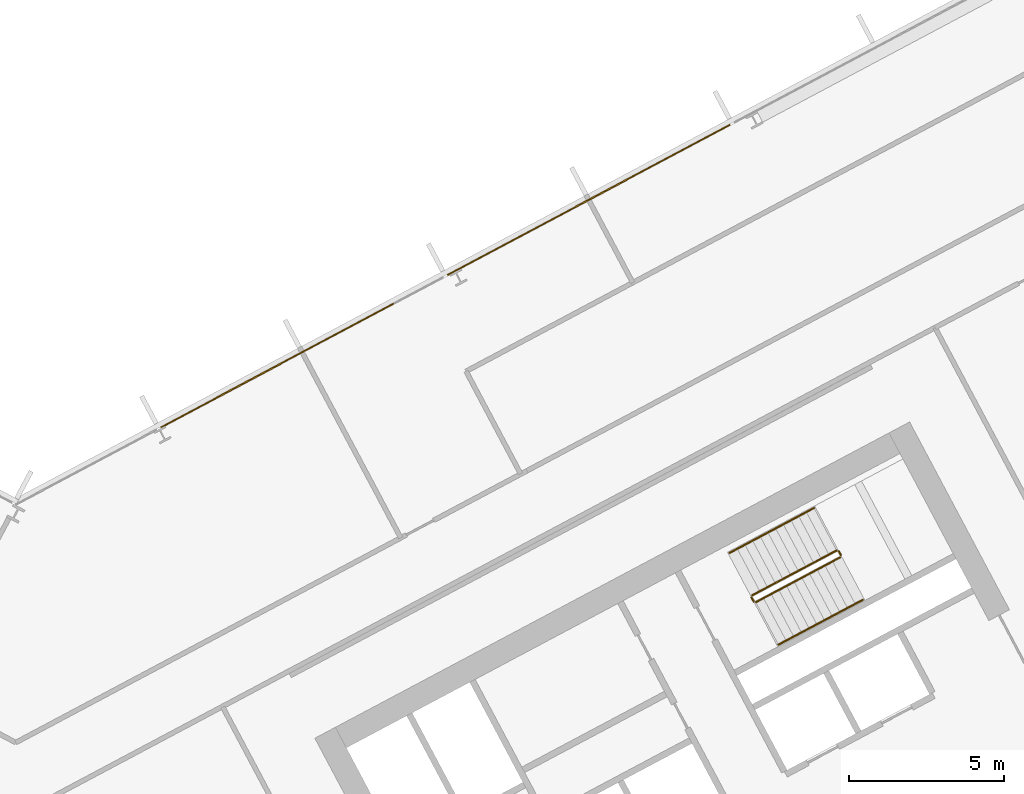
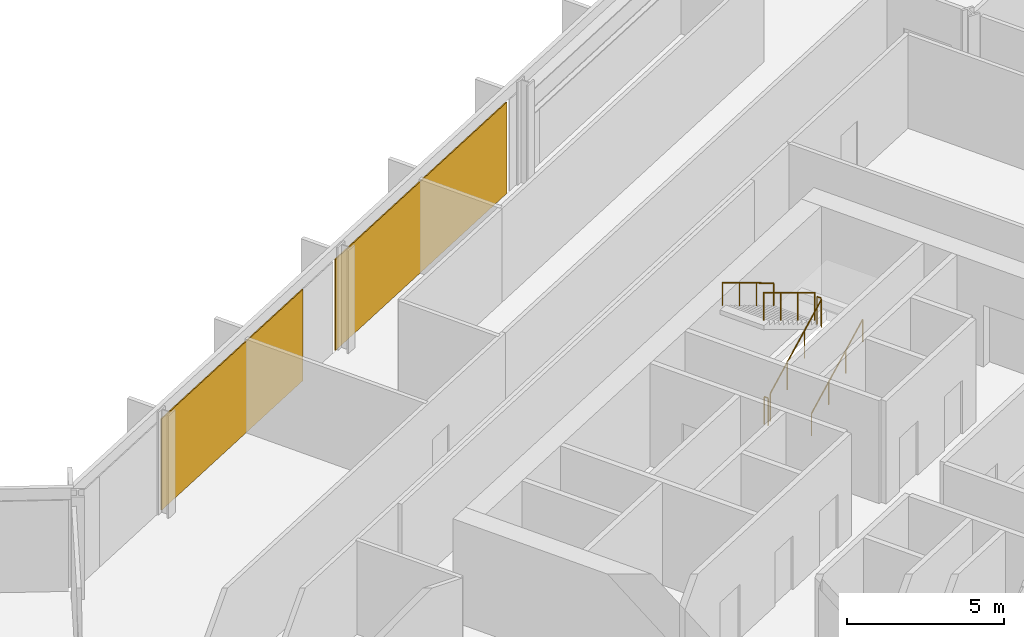
# One storey, part 27 of 28: 6 railings, 2 coverings, 1 element without a shape of its own.
"""IFC4 building model written with IfcOpenShell, lengths in metres."""

from ifc_helpers import new_model, si_unit, direction, frame, origin, origin_2d, place, context, subcontext, project, spatial, polyline, rectangle, outline, extrude, material, layer, layer_set, type_object, element, aggregate, save


model = new_model("IFC4")

# Units and contexts
model_context = context("Model", 3, precision=1e-05, world=origin(), true_north=direction((0.0, 1.0)))
body_context = subcontext(model_context, "Body", "Model", "MODEL_VIEW")
ifc_project = project(units=[si_unit("LENGTHUNIT", "METRE"), si_unit("AREAUNIT", "SQUARE_METRE"), si_unit("VOLUMEUNIT", "CUBIC_METRE"), si_unit("PLANEANGLEUNIT", "RADIAN"), si_unit("MASSUNIT", "GRAM", prefix="KILO")], contexts=[model_context])

# Site, building, storey
site_placement = place(None, origin())
site = spatial("IfcSite", under=ifc_project, at=site_placement, CompositionType="ELEMENT")
building_placement = place(site_placement, origin())
building = spatial("IfcBuilding", under=site, at=building_placement, Name="Cormorant Relay Tower", CompositionType="ELEMENT")
storey_placement = place(building_placement, frame((0.0, 0.0, 130.199951171875)))
storey = spatial("IfcBuildingStorey", under=building, at=storey_placement, Name="L26", CompositionType="ELEMENT", Elevation=130.199951171875)

# Curtain wall, coverings
ifc_material_1 = material(Name="Aluminium 6063-T6 anodised bronze", Category="aluminium")
ifc_layer_1 = layer(ifc_material_1, 0.199951171875)
ifc_layer_set_1 = layer_set([ifc_layer_1], Name="CW1 unitised bronze curtain wall with vertical fins")
curtain_wall_type = type_object("IfcCurtainWallType", Name="CW1 unitised bronze curtain wall with vertical fins", PredefinedType="NOTDEFINED", material=ifc_layer_set_1)
curtain_wall_placement = place(storey_placement, origin())
curtain_wall = element("IfcCurtainWall", 1, at=curtain_wall_placement, inside=storey, type_object=curtain_wall_type, Name="CW1 curtain wall 8", PredefinedType="NOTDEFINED")
ifc_material_2 = material(Name="Pale bronze anodised aluminium insulated panel", Category="aluminium")
ifc_layer_2 = layer(ifc_material_2, 0.0400390625)
ifc_layer_set_2 = layer_set([ifc_layer_2], Name="CW1 pale bronze insulated panel 40")
covering_type = type_object("IfcCoveringType", Name="CW1 pale bronze insulated panel 40", PredefinedType="CLADDING", material=ifc_layer_set_2)
covering_1_placement = place(storey_placement, frame((18.459228515625, 33.62158203125, 0.0), z_axis=(0.0, 0.0, 1.0), x_axis=(-0.882947592859, -0.469471562786, 0.0)))
covering_1 = element("IfcCovering", 2, at=covering_1_placement, type_object=covering_type, Name="CW1 panel S04", PredefinedType="CLADDING", context=body_context, shape_type="SweptSolid", body=[
    extrude(rectangle(XDim=10.30859375, YDim=0.0400390625, at=origin_2d()), origin(), (0.0, 0.0, 1.0), 3.550048828125),
])
covering_2_placement = place(storey_placement, frame((8.430419921875, 28.2890625, 0.0), z_axis=(0.0, 0.0, 1.0), x_axis=(-0.882947592859, -0.469471562786, 0.0)))
covering_2 = element("IfcCovering", 3, at=covering_2_placement, type_object=covering_type, Name="CW1 panel S06", PredefinedType="CLADDING", context=body_context, shape_type="SweptSolid", body=[
    extrude(rectangle(XDim=8.508544921875, YDim=0.0400390625, at=origin_2d()), origin(), (0.0, 0.0, 1.0), 3.550048828125),
])
aggregate(curtain_wall, [covering_1, covering_2])

# Railings
ifc_material_3 = material(Name="Steel ASTM A572 Grade 50 (Fy 345 MPa)", Category="steel")
railing_type_1 = type_object("IfcRailingType", Name="Stair guard 1100", PredefinedType="GUARDRAIL", material=ifc_material_3)
railing_1_placement = place(storey_placement, frame((23.8408203125, 20.6611328125, 0.166748046875)))
element("IfcRailing", 4, at=railing_1_placement, inside=storey, type_object=railing_type_1, Name="L26 B2 stair guard 1", PredefinedType="GUARDRAIL", context=body_context, shape_type="SweptSolid", body=[
    extrude(outline(polyline([(0.022216796875, 0.00927734375), (0.00927734375, 0.022216796875), (-0.00927734375, 0.022216796875), (-0.022216796875, 0.00927734375), (-0.022216796875, -0.00927734375), (-0.00927734375, -0.022216796875), (0.00927734375, -0.022216796875), (0.022216796875, -0.00927734375), (0.022216796875, 0.00927734375)])), frame((0.0, 0.0, 1.076171875), z_axis=(0.758734504837, 0.403377838015, 0.511476559549), x_axis=(-0.469427602063, 0.882970965786, 0.0)), (0.0, 0.0, 1.0), 3.584228515625),
    extrude(outline(polyline([(0.019287109375, 0.008056640625), (0.008056640625, 0.019287109375), (-0.008056640625, 0.019287109375), (-0.019287109375, 0.008056640625), (-0.019287109375, -0.008056640625), (-0.008056640625, -0.019287109375), (0.008056640625, -0.019287109375), (0.019287109375, -0.008056640625), (0.019287109375, 0.008056640625)])), origin(), (0.0, 0.0, 1.0), 1.052001953125),
    extrude(outline(polyline([(0.019287109375, 0.008056640625), (0.008056640625, 0.019287109375), (-0.008056640625, 0.019287109375), (-0.019287109375, 0.008056640625), (-0.019287109375, -0.008056640625), (-0.008056640625, -0.019287109375), (0.008056640625, -0.019287109375), (0.019287109375, -0.008056640625), (0.019287109375, 0.008056640625)])), frame((0.906494140625, 0.48193359375, 0.611083984375)), (0.0, 0.0, 1.0), 1.052001953125),
    extrude(outline(polyline([(0.019287109375, 0.008056640625), (0.008056640625, 0.019287109375), (-0.008056640625, 0.019287109375), (-0.019287109375, 0.008056640625), (-0.019287109375, -0.008056640625), (-0.008056640625, -0.019287109375), (0.008056640625, -0.019287109375), (0.019287109375, -0.008056640625), (0.019287109375, 0.008056640625)])), frame((1.81298828125, 0.9638671875, 1.22216796875)), (0.0, 0.0, 1.0), 1.052001953125),
    extrude(outline(polyline([(0.019287109375, 0.008056640625), (0.008056640625, 0.019287109375), (-0.008056640625, 0.019287109375), (-0.019287109375, 0.008056640625), (-0.019287109375, -0.008056640625), (-0.008056640625, -0.019287109375), (0.008056640625, -0.019287109375), (0.019287109375, -0.008056640625), (0.019287109375, 0.008056640625)])), frame((2.719482421875, 1.44580078125, 1.833251953125)), (0.0, 0.0, 1.0), 1.052001953125),
])
railing_2_placement = place(storey_placement, frame((26.5810546875, 22.174560546875, 2.0)))
element("IfcRailing", 5, at=railing_2_placement, inside=storey, type_object=railing_type_1, Name="L26 B2 stair guard 2", PredefinedType="GUARDRAIL", context=body_context, shape_type="SweptSolid", body=[
    extrude(outline(polyline([(0.022216796875, 0.00927734375), (0.00927734375, 0.022216796875), (-0.00927734375, 0.022216796875), (-0.022216796875, 0.00927734375), (-0.022216796875, -0.00927734375), (-0.00927734375, -0.022216796875), (0.00927734375, -0.022216796875), (0.022216796875, -0.00927734375), (0.022216796875, 0.00927734375)])), frame((0.0, 0.0, 1.076171875), z_axis=(-0.469828648786, 0.882757634224, 0.0), x_axis=(-0.882757634224, -0.469828648786, 0.0)), (0.0, 0.0, 1.0), 0.150146484375),
    extrude(outline(polyline([(0.019287109375, 0.008056640625), (0.008056640625, 0.019287109375), (-0.008056640625, 0.019287109375), (-0.019287109375, 0.008056640625), (-0.019287109375, -0.008056640625), (-0.008056640625, -0.019287109375), (0.008056640625, -0.019287109375), (0.019287109375, -0.008056640625), (0.019287109375, 0.008056640625)])), origin(), (0.0, 0.0, 1.0), 1.052001953125),
    extrude(outline(polyline([(0.019287109375, 0.008056640625), (0.008056640625, 0.019287109375), (-0.008056640625, 0.019287109375), (-0.019287109375, 0.008056640625), (-0.019287109375, -0.008056640625), (-0.008056640625, -0.019287109375), (0.008056640625, -0.019287109375), (0.019287109375, -0.008056640625), (0.019287109375, 0.008056640625)])), frame((-0.070556640625, 0.132568359375, 0.0)), (0.0, 0.0, 1.0), 1.052001953125),
])
railing_3_placement = place(storey_placement, frame((26.44287109375, 22.32763671875, 2.166748046875)))
element("IfcRailing", 6, at=railing_3_placement, inside=storey, type_object=railing_type_1, Name="L26 B2 stair guard 3", PredefinedType="GUARDRAIL", context=body_context, shape_type="SweptSolid", body=[
    extrude(outline(polyline([(0.022216796875, 0.00927734375), (0.00927734375, 0.022216796875), (-0.00927734375, 0.022216796875), (-0.022216796875, 0.00927734375), (-0.022216796875, -0.00927734375), (-0.00927734375, -0.022216796875), (0.00927734375, -0.022216796875), (0.022216796875, -0.00927734375), (0.022216796875, 0.00927734375)])), frame((0.0, 0.0, 1.076171875), z_axis=(-0.758734504837, -0.403377838015, 0.511476559549), x_axis=(0.469427602063, -0.882970965786, 0.0)), (0.0, 0.0, 1.0), 3.584228515625),
    extrude(outline(polyline([(0.019287109375, 0.008056640625), (0.008056640625, 0.019287109375), (-0.008056640625, 0.019287109375), (-0.019287109375, 0.008056640625), (-0.019287109375, -0.008056640625), (-0.008056640625, -0.019287109375), (0.008056640625, -0.019287109375), (0.019287109375, -0.008056640625), (0.019287109375, 0.008056640625)])), origin(), (0.0, 0.0, 1.0), 1.052001953125),
    extrude(outline(polyline([(0.019287109375, 0.008056640625), (0.008056640625, 0.019287109375), (-0.008056640625, 0.019287109375), (-0.019287109375, 0.008056640625), (-0.019287109375, -0.008056640625), (-0.008056640625, -0.019287109375), (0.008056640625, -0.019287109375), (0.019287109375, -0.008056640625), (0.019287109375, 0.008056640625)])), frame((-0.906494140625, -0.48193359375, 0.611083984375)), (0.0, 0.0, 1.0), 1.052001953125),
    extrude(outline(polyline([(0.019287109375, 0.008056640625), (0.008056640625, 0.019287109375), (-0.008056640625, 0.019287109375), (-0.019287109375, 0.008056640625), (-0.019287109375, -0.008056640625), (-0.008056640625, -0.019287109375), (0.008056640625, -0.019287109375), (0.019287109375, -0.008056640625), (0.019287109375, 0.008056640625)])), frame((-1.81298828125, -0.9638671875, 1.22216796875)), (0.0, 0.0, 1.0), 1.052001953125),
    extrude(outline(polyline([(0.019287109375, 0.008056640625), (0.008056640625, 0.019287109375), (-0.008056640625, 0.019287109375), (-0.019287109375, 0.008056640625), (-0.019287109375, -0.008056640625), (-0.008056640625, -0.019287109375), (0.008056640625, -0.019287109375), (0.019287109375, -0.008056640625), (0.019287109375, 0.008056640625)])), frame((-2.719482421875, -1.44580078125, 1.833251953125)), (0.0, 0.0, 1.0), 1.052001953125),
])
railing_4_placement = place(storey_placement, frame((23.773193359375, 20.681640625, 0.0)))
element("IfcRailing", 7, at=railing_4_placement, inside=storey, type_object=railing_type_1, Name="L26 B2 stair guard 4", PredefinedType="GUARDRAIL", context=body_context, shape_type="SweptSolid", body=[
    extrude(outline(polyline([(0.022216796875, 0.00927734375), (0.00927734375, 0.022216796875), (-0.00927734375, 0.022216796875), (-0.022216796875, 0.00927734375), (-0.022216796875, -0.00927734375), (-0.00927734375, -0.022216796875), (0.00927734375, -0.022216796875), (0.022216796875, -0.00927734375), (0.022216796875, 0.00927734375)])), frame((0.0, 0.0, 1.076171875), z_axis=(-0.46856034887, 0.8834314911, 0.0), x_axis=(-0.8834314911, -0.46856034887, 0.0)), (0.0, 0.0, 1.0), 0.150146484375),
    extrude(outline(polyline([(0.019287109375, 0.008056640625), (0.008056640625, 0.019287109375), (-0.008056640625, 0.019287109375), (-0.019287109375, 0.008056640625), (-0.019287109375, -0.008056640625), (-0.008056640625, -0.019287109375), (0.008056640625, -0.019287109375), (0.019287109375, -0.008056640625), (0.019287109375, 0.008056640625)])), origin(), (0.0, 0.0, 1.0), 1.052001953125),
    extrude(outline(polyline([(0.019287109375, 0.008056640625), (0.008056640625, 0.019287109375), (-0.008056640625, 0.019287109375), (-0.019287109375, 0.008056640625), (-0.019287109375, -0.008056640625), (-0.008056640625, -0.019287109375), (0.008056640625, -0.019287109375), (0.019287109375, -0.008056640625), (0.019287109375, 0.008056640625)])), frame((-0.0703125, 0.132568359375, 0.0)), (0.0, 0.0, 1.0), 1.052001953125),
])
ifc_material_4 = material(Name="Steel ASTM A572 Grade 50 (Fy 345 MPa)", Category="steel")
railing_type_2 = type_object("IfcRailingType", Name="Stair handrail 900", PredefinedType="HANDRAIL", material=ifc_material_4)
railing_5_placement = place(storey_placement, frame((24.568603515625, 19.29248046875, 0.166748046875)))
element("IfcRailing", 8, at=railing_5_placement, inside=storey, type_object=railing_type_2, Name="L26 B2 stair handrail 1", PredefinedType="HANDRAIL", context=body_context, shape_type="SweptSolid", body=[
    extrude(outline(polyline([(0.022216796875, 0.00927734375), (0.00927734375, 0.022216796875), (-0.00927734375, 0.022216796875), (-0.022216796875, 0.00927734375), (-0.022216796875, -0.00927734375), (-0.00927734375, -0.022216796875), (0.00927734375, -0.022216796875), (0.022216796875, -0.00927734375), (0.022216796875, 0.00927734375)])), frame((0.0, 0.0, 0.8759765625), z_axis=(0.758713656843, 0.403434867536, 0.511462505542), x_axis=(-0.469489399267, 0.882938108802, 0.0)), (0.0, 0.0, 1.0), 3.584228515625),
    extrude(outline(polyline([(0.019287109375, 0.008056640625), (0.008056640625, 0.019287109375), (-0.008056640625, 0.019287109375), (-0.019287109375, 0.008056640625), (-0.019287109375, -0.008056640625), (-0.008056640625, -0.019287109375), (0.008056640625, -0.019287109375), (0.019287109375, -0.008056640625), (0.019287109375, 0.008056640625)])), origin(), (0.0, 0.0, 1.0), 0.851806640625),
    extrude(outline(polyline([(0.019287109375, 0.008056640625), (0.008056640625, 0.019287109375), (-0.008056640625, 0.019287109375), (-0.019287109375, 0.008056640625), (-0.019287109375, -0.008056640625), (-0.008056640625, -0.019287109375), (0.008056640625, -0.019287109375), (0.019287109375, -0.008056640625), (0.019287109375, 0.008056640625)])), frame((0.906494140625, 0.48193359375, 0.611083984375)), (0.0, 0.0, 1.0), 0.851806640625),
    extrude(outline(polyline([(0.019287109375, 0.008056640625), (0.008056640625, 0.019287109375), (-0.008056640625, 0.019287109375), (-0.019287109375, 0.008056640625), (-0.019287109375, -0.008056640625), (-0.008056640625, -0.019287109375), (0.008056640625, -0.019287109375), (0.019287109375, -0.008056640625), (0.019287109375, 0.008056640625)])), frame((1.81298828125, 0.964111328125, 1.22216796875)), (0.0, 0.0, 1.0), 0.851806640625),
    extrude(outline(polyline([(0.019287109375, 0.008056640625), (0.008056640625, 0.019287109375), (-0.008056640625, 0.019287109375), (-0.019287109375, 0.008056640625), (-0.019287109375, -0.008056640625), (-0.008056640625, -0.019287109375), (0.008056640625, -0.019287109375), (0.019287109375, -0.008056640625), (0.019287109375, 0.008056640625)])), frame((2.719482421875, 1.446044921875, 1.833251953125)), (0.0, 0.0, 1.0), 0.851806640625),
])
railing_6_placement = place(storey_placement, frame((25.71533203125, 23.6962890625, 2.166748046875)))
element("IfcRailing", 9, at=railing_6_placement, inside=storey, type_object=railing_type_2, Name="L26 B2 stair handrail 2", PredefinedType="HANDRAIL", context=body_context, shape_type="SweptSolid", body=[
    extrude(outline(polyline([(0.022216796875, 0.00927734375), (0.00927734375, 0.022216796875), (-0.00927734375, 0.022216796875), (-0.022216796875, 0.00927734375), (-0.022216796875, -0.00927734375), (-0.00927734375, -0.022216796875), (0.00927734375, -0.022216796875), (0.022216796875, -0.00927734375), (0.022216796875, 0.00927734375)])), frame((0.0, 0.0, 0.8759765625), z_axis=(-0.758713656843, -0.403434867536, 0.511462505542), x_axis=(0.469489399267, -0.882938108802, 0.0)), (0.0, 0.0, 1.0), 3.584228515625),
    extrude(outline(polyline([(0.019287109375, 0.008056640625), (0.008056640625, 0.019287109375), (-0.008056640625, 0.019287109375), (-0.019287109375, 0.008056640625), (-0.019287109375, -0.008056640625), (-0.008056640625, -0.019287109375), (0.008056640625, -0.019287109375), (0.019287109375, -0.008056640625), (0.019287109375, 0.008056640625)])), origin(), (0.0, 0.0, 1.0), 0.851806640625),
    extrude(outline(polyline([(0.019287109375, 0.008056640625), (0.008056640625, 0.019287109375), (-0.008056640625, 0.019287109375), (-0.019287109375, 0.008056640625), (-0.019287109375, -0.008056640625), (-0.008056640625, -0.019287109375), (0.008056640625, -0.019287109375), (0.019287109375, -0.008056640625), (0.019287109375, 0.008056640625)])), frame((-0.906494140625, -0.48193359375, 0.611083984375)), (0.0, 0.0, 1.0), 0.851806640625),
    extrude(outline(polyline([(0.019287109375, 0.008056640625), (0.008056640625, 0.019287109375), (-0.008056640625, 0.019287109375), (-0.019287109375, 0.008056640625), (-0.019287109375, -0.008056640625), (-0.008056640625, -0.019287109375), (0.008056640625, -0.019287109375), (0.019287109375, -0.008056640625), (0.019287109375, 0.008056640625)])), frame((-1.81298828125, -0.964111328125, 1.22216796875)), (0.0, 0.0, 1.0), 0.851806640625),
    extrude(outline(polyline([(0.019287109375, 0.008056640625), (0.008056640625, 0.019287109375), (-0.008056640625, 0.019287109375), (-0.019287109375, 0.008056640625), (-0.019287109375, -0.008056640625), (-0.008056640625, -0.019287109375), (0.008056640625, -0.019287109375), (0.019287109375, -0.008056640625), (0.019287109375, 0.008056640625)])), frame((-2.719482421875, -1.446044921875, 1.833251953125)), (0.0, 0.0, 1.0), 0.851806640625),
])

save(model, "model.ifc")
